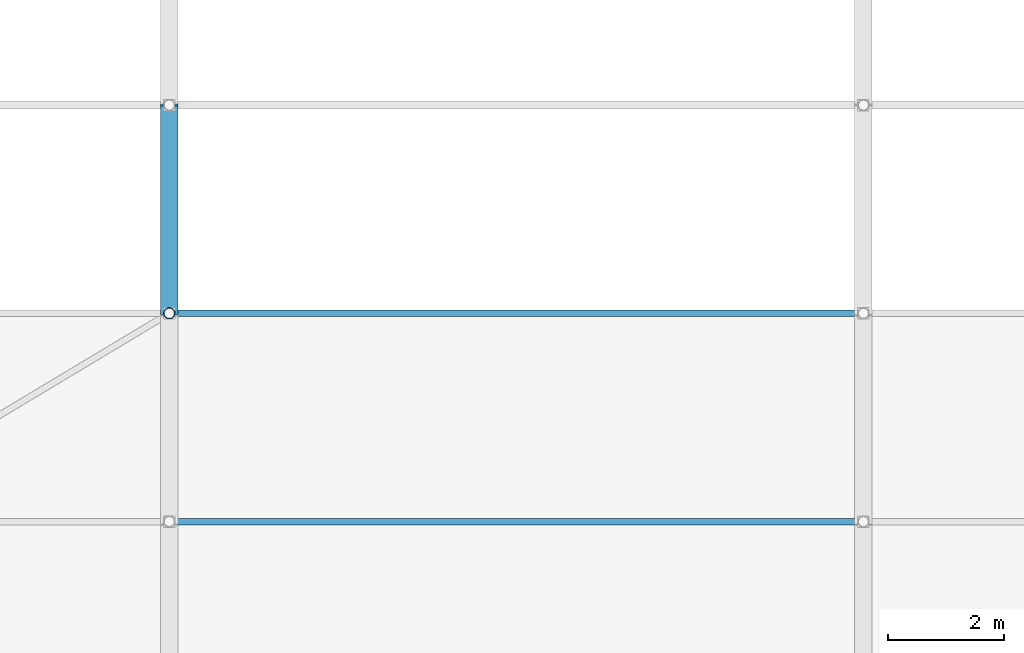
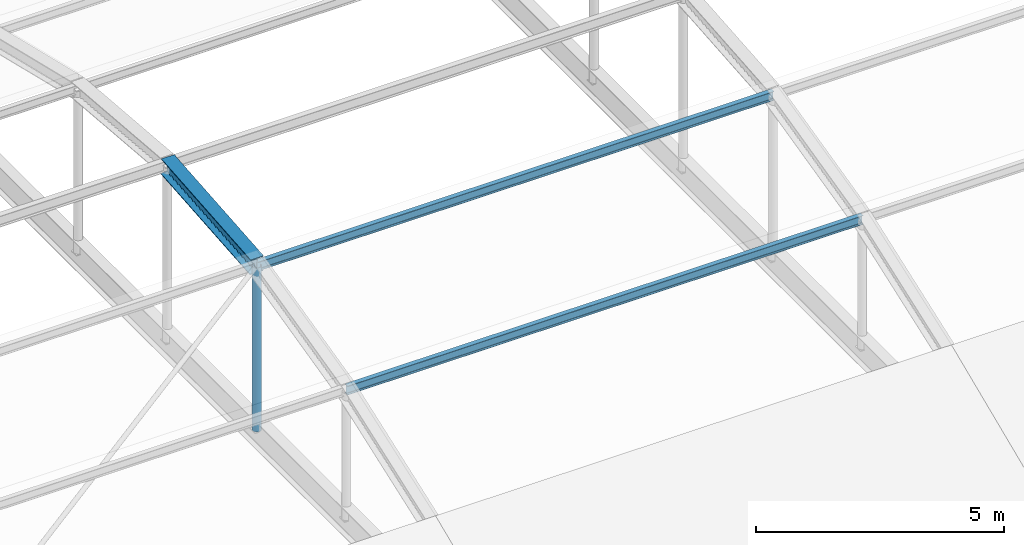
# One storey, part 149 of 239: 3 members, 1 beam.
"""IFC4 building model written with IfcOpenShell, lengths in metres."""

import ifcopenshell
import ifcopenshell.guid

model = None  # the IFC model being written
_history = None  # IfcOwnerHistory: only IFC2X3 demands one
_inside = {}  # id of a spatial element -> (the spatial element, [elements in it])
_under = {}  # id of a project, library or spatial element -> (it, [spatial elements below it])
_declared = {}  # id of a project -> (the project, [libraries it declares])
_typed = {}  # id of a type object -> (the type object, [elements of that type])
_made_of = {}  # id of a material, layer set ... -> (it, [elements and type objects made of it])


def new_model(schema):
    """Start an empty IFC model of exactly this schema.

    Asked for "IFC4X3", IfcOpenShell would pick the latest addendum, in which some entities
    have other attributes; the version numbers below select the first issue.
    IFC2X3 requires an IfcOwnerHistory on every rooted entity: one is made here for all.
    """
    global model, _history
    if schema == "IFC4X3":
        model = ifcopenshell.file(schema_version=(4, 3, 0, 0))
    else:
        model = ifcopenshell.file(schema=schema)
    _inside.clear()
    _under.clear()
    _declared.clear()
    _typed.clear()
    _made_of.clear()
    _history = None
    if model.schema == "IFC2X3":
        org = make("IfcOrganization", Name="unknown")
        user = make(
            "IfcPersonAndOrganization",
            ThePerson=make("IfcPerson", FamilyName="unknown"),
            TheOrganization=org,
        )
        app = make(
            "IfcApplication",
            ApplicationDeveloper=org,
            Version="unknown",
            ApplicationFullName="unknown",
            ApplicationIdentifier="unknown",
        )
        _history = make(
            "IfcOwnerHistory",
            OwningUser=user,
            OwningApplication=app,
            ChangeAction="ADDED",
            CreationDate=0,
        )
    return model


def make(cls, **values):
    """One entity of the class cls with the attributes given. An attribute that is None is left unset."""
    return model.create_entity(
        cls, **{name: value for name, value in values.items() if value is not None}
    )


def rooted(cls, **values):
    """An entity with a GlobalId (a new one), such as an element, a storey or a relation."""
    return make(cls, GlobalId=ifcopenshell.guid.new(), OwnerHistory=_history, **values)


def si_unit(unit_type, name, prefix=None):
    """IfcSIUnit, for example si_unit("LENGTHUNIT", "METRE", prefix="MILLI")."""
    return make("IfcSIUnit", UnitType=unit_type, Prefix=prefix, Name=name)


def assignment(units):
    """IfcUnitAssignment: the units of a project."""
    return None if units is None else make("IfcUnitAssignment", Units=units)


def point(xyz):
    """IfcCartesianPoint."""
    return None if xyz is None else make("IfcCartesianPoint", Coordinates=xyz)


def direction(xyz):
    """IfcDirection."""
    return None if xyz is None else make("IfcDirection", DirectionRatios=xyz)


def frame(location, z_axis=None, x_axis=None):
    """IfcAxis2Placement3D, a coordinate frame: its origin and axes. An axis left out is left unset."""
    return make(
        "IfcAxis2Placement3D",
        Location=point(location),
        Axis=direction(z_axis),
        RefDirection=direction(x_axis),
    )


def frame_2d(location, x_axis=None):
    """IfcAxis2Placement2D, a coordinate frame in the plane: its origin and x axis."""
    return make(
        "IfcAxis2Placement2D", Location=point(location), RefDirection=direction(x_axis)
    )


def origin():
    """The frame at (0, 0, 0) with its axes left unset."""
    return frame((0.0, 0.0, 0.0))


def origin_2d():
    """The frame at (0, 0) in the plane with its x axis left unset."""
    return frame_2d((0.0, 0.0))


def place(relative_to, where):
    """IfcLocalPlacement: puts the frame where relative to a parent placement (None: the world)."""
    return make(
        "IfcLocalPlacement", PlacementRelTo=relative_to, RelativePlacement=where
    )


def context(
    kind, dimensions, precision=None, world=None, true_north=None, identifier=None
):
    """IfcGeometricRepresentationContext, for example the 3D "Model" context."""
    return make(
        "IfcGeometricRepresentationContext",
        ContextIdentifier=identifier,
        ContextType=kind,
        CoordinateSpaceDimension=dimensions,
        Precision=precision,
        WorldCoordinateSystem=world,
        TrueNorth=true_north,
    )


def subcontext(parent, identifier, kind, view, scale=None):
    """IfcGeometricRepresentationSubContext, for example "Body" below "Model"."""
    return make(
        "IfcGeometricRepresentationSubContext",
        ContextIdentifier=identifier,
        ContextType=kind,
        ParentContext=parent,
        TargetScale=scale,
        TargetView=view,
    )


def project(units=None, contexts=None):
    """IfcProject with its units and contexts."""
    return rooted(
        "IfcProject",
        Name="project",
        RepresentationContexts=contexts,
        UnitsInContext=assignment(units),
    )


def spatial(cls, under=None, at=None, **own):
    """A site, building, storey or space (cls), placed at a placement, below another one or the project."""
    s = rooted(cls, ObjectPlacement=at, **own)
    if under is not None:
        _under.setdefault(under.id(), (under, []))[1].append(s)
    return s


def profile(cls, at=None, kind="AREA", **sizes):
    """A parametric profile (cls). Its sizes go by their IFC names, for example OverallWidth=200.0."""
    return make(cls, ProfileType=kind, Position=at, **sizes)


def hollow_circle(**sizes):
    """IfcCircleHollowProfileDef."""
    return profile("IfcCircleHollowProfileDef", **sizes)


def i_section(**sizes):
    """IfcIShapeProfileDef."""
    return profile("IfcIShapeProfileDef", **sizes)


def extrude(swept, where, along, depth):
    """IfcExtrudedAreaSolid: the profile swept, set in the frame where, extruded along a direction by depth."""
    return make(
        "IfcExtrudedAreaSolid",
        SweptArea=swept,
        Position=where,
        ExtrudedDirection=direction(along),
        Depth=depth,
    )


def shape(context_of_items, identifier, shape_type, items):
    """IfcShapeRepresentation: the items that make up one representation, for example the "Body"."""
    return make(
        "IfcShapeRepresentation",
        ContextOfItems=context_of_items,
        RepresentationIdentifier=identifier,
        RepresentationType=shape_type,
        Items=items,
    )


def material(Name=None, Category=None):
    """IfcMaterial."""
    return make("IfcMaterial", Name=Name, Category=Category)


def material_profile(
    of_material, cross_section, Name=None, Category=None, Priority=None
):
    """IfcMaterialProfile: a cross section and its material."""
    return make(
        "IfcMaterialProfile",
        Name=Name,
        Material=of_material,
        Profile=cross_section,
        Priority=Priority,
        Category=Category,
    )


def profile_set(profiles, Name=None, composite=None):
    """IfcMaterialProfileSet."""
    return make(
        "IfcMaterialProfileSet",
        Name=Name,
        MaterialProfiles=profiles,
        CompositeProfile=composite,
    )


def made_of(thing, what):
    """Note that an element or type object is made of a material, layer set ...; save() writes the relation."""
    if what is not None:
        _made_of.setdefault(what.id(), (what, []))[1].append(thing)
    return thing


def type_object(cls, material=None, **own):
    """A type object (cls), such as IfcWallType, which elements share."""
    return made_of(rooted(cls, **own), material)


def element(
    cls,
    number,
    at=None,
    inside=None,
    cuts=None,
    type_object=None,
    material=None,
    context=None,
    identifier="Body",
    shape_type=None,
    held_by="IfcProductDefinitionShape",
    body=None,
    shapes=None,
    **own,
):
    """One element of the class cls, such as IfcWall. Its Tag is "e" and its number.

    at: its placement. inside: the storey or other place that contains it. cuts: it is an
    opening in that element (IfcRelVoidsElement). A single representation is given by context,
    identifier, shape_type and body (its items); several are given by shapes. held_by: the class
    of the entity that holds the representations. save() writes the other relations.
    """
    e = rooted(cls, Tag="e%d" % number, ObjectPlacement=at, **own)
    if body is not None:
        shapes = [shape(context, identifier, shape_type, body)]
    if shapes is not None:
        e.Representation = make(held_by, Representations=shapes)
    if inside is not None:
        _inside.setdefault(inside.id(), (inside, []))[1].append(e)
    if cuts is not None:
        rooted(
            "IfcRelVoidsElement", RelatingBuildingElement=cuts, RelatedOpeningElement=e
        )
    if type_object is not None:
        _typed.setdefault(type_object.id(), (type_object, []))[1].append(e)
    return made_of(e, material)


def aggregate(whole, parts):
    """IfcRelAggregates: a whole, such as a stair, and the parts it consists of."""
    return rooted("IfcRelAggregates", RelatingObject=whole, RelatedObjects=parts)


def save(model, path):
    """Write the relations noted so far, then the file.

    IfcRelAggregates (storeys below a building ...), IfcRelContainedInSpatialStructure (elements
    in a storey), IfcRelDefinesByType, IfcRelAssociatesMaterial and IfcRelDeclares: one each for
    every whole, place, type object, material and project.
    """
    for whole, parts in _under.values():
        aggregate(whole, parts)
    for where, things in _inside.values():
        rooted(
            "IfcRelContainedInSpatialStructure",
            RelatedElements=things,
            RelatingStructure=where,
        )
    for kind, things in _typed.values():
        rooted("IfcRelDefinesByType", RelatedObjects=things, RelatingType=kind)
    for what, things in _made_of.values():
        rooted("IfcRelAssociatesMaterial", RelatedObjects=things, RelatingMaterial=what)
    for by, libraries in _declared.values():
        rooted("IfcRelDeclares", RelatingContext=by, RelatedDefinitions=libraries)
    model.write(path)


model = new_model("IFC4")

# Units and contexts
model_context = context("Model", 3, precision=1e-05, world=origin(), true_north=direction((0.0, 1.0)))
body_context = subcontext(model_context, "Body", "Model", "MODEL_VIEW")
ifc_project = project(units=[si_unit("LENGTHUNIT", "METRE"), si_unit("AREAUNIT", "SQUARE_METRE"), si_unit("VOLUMEUNIT", "CUBIC_METRE"), si_unit("PLANEANGLEUNIT", "RADIAN"), si_unit("MASSUNIT", "GRAM", prefix="KILO")], contexts=[model_context])

# Site, building, storey
site_placement = place(None, origin())
site = spatial("IfcSite", under=ifc_project, at=site_placement, CompositionType="ELEMENT")
building_placement = place(site_placement, origin())
building = spatial("IfcBuilding", under=site, at=building_placement, Name="Dunvalen Ferry Terminal", CompositionType="ELEMENT")
storey_placement = place(building_placement, frame((0.0, 0.0, 9.840087890625)))
storey = spatial("IfcBuildingStorey", under=building, at=storey_placement, Name="L02", CompositionType="ELEMENT", Elevation=9.840087890625)

# Beam
ifc_material = material(Name="Steel S355", Category="steel")
ifc_material_profile_1 = material_profile(ifc_material, i_section(OverallWidth=0.300048828125, OverallDepth=0.389892578125, WebThickness=0.010986328125, FlangeThickness=0.01904296875, FilletRadius=0.027099609375, at=origin_2d()), Name="Steel S355")
ifc_profile_set_1 = profile_set([ifc_material_profile_1], Name="Steel S355")
beam_type = type_object("IfcBeamType", Name="STR-BM-HEA400", PredefinedType="BEAM", material=ifc_profile_set_1)
beam_placement = place(storey_placement, frame((120.0, 68.39990234375, 3.6953125), z_axis=(0.0, 0.996437742755, 0.084331635898), x_axis=(-1.0, 0.0, 0.0)))
element("IfcBeam", 1, at=beam_placement, inside=storey, type_object=beam_type, Name="Arrivals Hall Barrel-Vault Arch Rib 02.4", PredefinedType="BEAM", context=body_context, shape_type="SweptSolid", body=[
    extrude(i_section(OverallWidth=0.300048828125, OverallDepth=0.389892578125, WebThickness=0.010986328125, FlangeThickness=0.01904296875, FilletRadius=0.027099609375, at=origin_2d()), origin(), (0.0, 0.0, 1.0), 3.613037109375),
])

# Members
ifc_material_profile_2 = material_profile(ifc_material, hollow_circle(Radius=0.096923828125, WallThickness=0.008056640625, at=origin_2d()), Name="Steel S355")
ifc_profile_set_2 = profile_set([ifc_material_profile_2], Name="Steel S355")
member_type_1 = type_object("IfcMemberType", Name="STR-MB-CHS193", PredefinedType="STRUT", material=ifc_profile_set_2)
member_placement = place(storey_placement, frame((120.0, 68.39990234375, -0.340087890625), z_axis=(0.0, 0.0, 1.0), x_axis=(1.0, 0.0, 0.0)))
element("IfcMember", 2, at=member_placement, inside=storey, type_object=member_type_1, Name="Arrivals Hall Vault Hanger 02.3", PredefinedType="STRUT", context=body_context, shape_type="SweptSolid", body=[
    extrude(hollow_circle(Radius=0.096923828125, WallThickness=0.008056640625, at=origin_2d()), origin(), (0.0, 0.0, 1.0), 4.035400390625),
])
ifc_material_profile_3 = material_profile(ifc_material, i_section(OverallWidth=0.110107421875, OverallDepth=0.219970703125, WebThickness=0.005859375, FlangeThickness=0.00927734375, FilletRadius=0.011962890625, at=origin_2d()), Name="Steel S355")
ifc_profile_set_3 = profile_set([ifc_material_profile_3], Name="Steel S355")
member_type_2 = type_object("IfcMemberType", Name="STR-MB-IPE220", PredefinedType="PURLIN", material=ifc_profile_set_3)
for number, where, z_axis, x_axis, name in (
    (3, (120.0, 64.800048828125, 2.828369140625), (1.0, 0.0, 0.0), (0.0, 1.0, 0.0), "Arrivals Hall Barrel-Vault Purlin 2.3"),
    (4, (120.0, 68.39990234375, 3.6953125), (1.0, 0.0, 0.0), (0.0, 1.0, 0.0), "Arrivals Hall Barrel-Vault Purlin 2.4"),
):
    element("IfcMember", number, at=place(storey_placement, frame(where, z_axis=z_axis, x_axis=x_axis)), inside=storey, type_object=member_type_2, Name=name, PredefinedType="PURLIN", context=body_context, shape_type="SweptSolid", body=[
        extrude(i_section(OverallWidth=0.110107421875, OverallDepth=0.219970703125, WebThickness=0.005859375, FlangeThickness=0.00927734375, FilletRadius=0.011962890625, at=origin_2d()), origin(), (0.0, 0.0, 1.0), 12.0),
    ])

save(model, "model.ifc")
